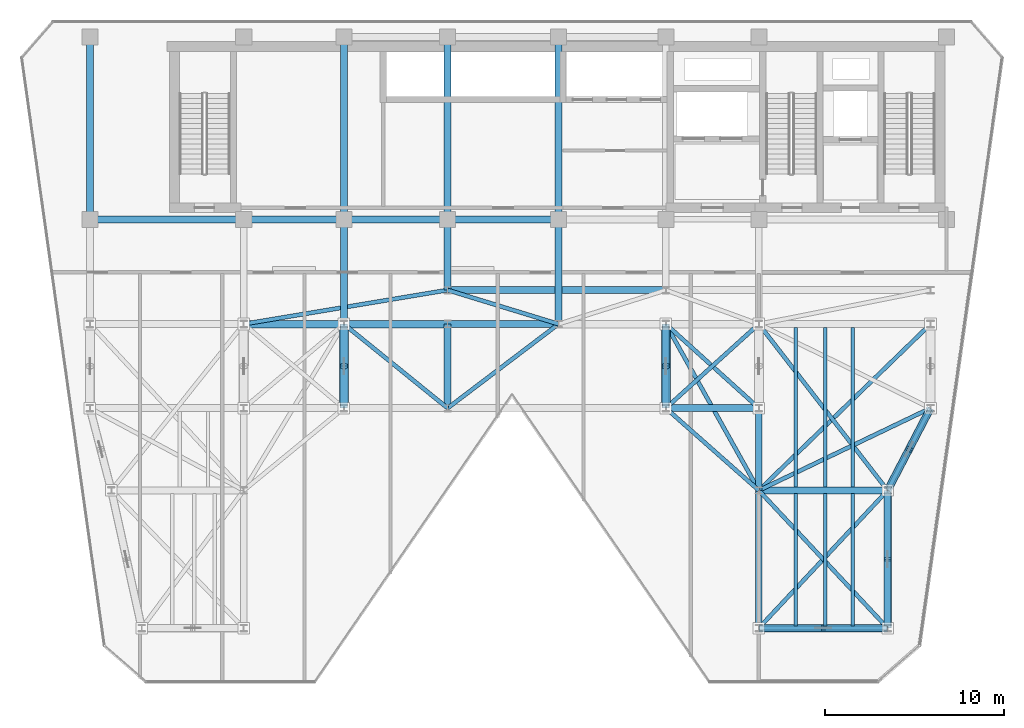
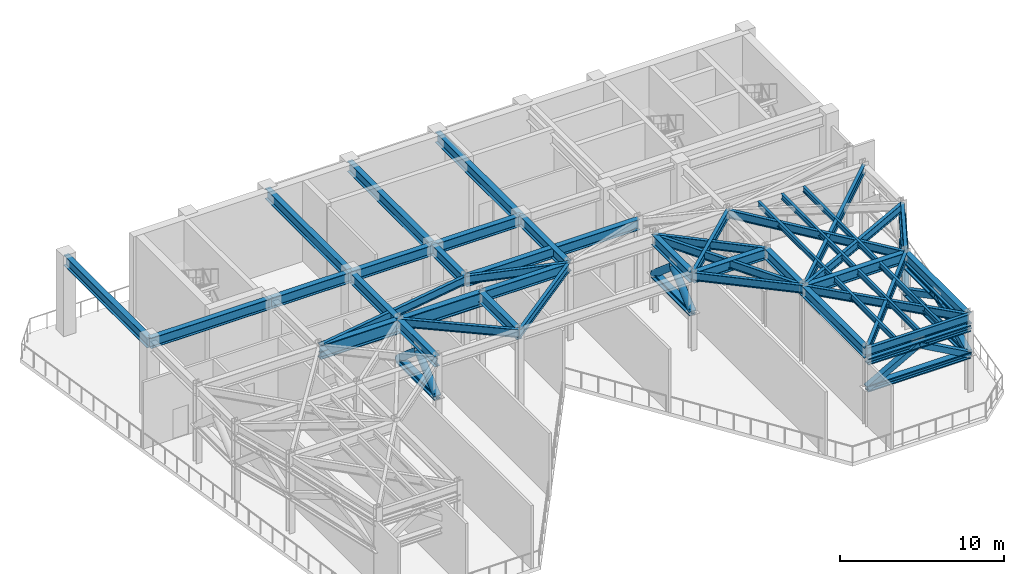
# One storey, part 2 of 12: 43 beams, 18 members.
"""IFC4 building model written with IfcOpenShell, lengths in metres."""

from ifc_helpers import new_model, si_unit, direction, frame, origin, origin_2d, place, context, subcontext, project, spatial, hollow_rectangle, hollow_circle, i_section, extrude, material, material_profile, profile_set, type_object, element, save


model = new_model("IFC4")

# Units and contexts
model_context = context("Model", 3, precision=1e-05, world=origin(), true_north=direction((0.0, 1.0)))
body_context = subcontext(model_context, "Body", "Model", "MODEL_VIEW")
ifc_project = project(units=[si_unit("LENGTHUNIT", "METRE"), si_unit("AREAUNIT", "SQUARE_METRE"), si_unit("VOLUMEUNIT", "CUBIC_METRE"), si_unit("PLANEANGLEUNIT", "RADIAN"), si_unit("MASSUNIT", "GRAM", prefix="KILO")], contexts=[model_context])

# Site, building, storey
site_placement = place(None, origin())
site = spatial("IfcSite", under=ifc_project, at=site_placement, CompositionType="ELEMENT")
building_placement = place(site_placement, origin())
building = spatial("IfcBuilding", under=site, at=building_placement, Name="Kravanh Interchange Tower", CompositionType="ELEMENT")
storey_placement = place(building_placement, frame((0.0, 0.0, 225.0)))
storey = spatial("IfcBuildingStorey", under=building, at=storey_placement, Name="L54", CompositionType="ELEMENT", Elevation=225.0)

# Members
ifc_material_1 = material(Name="Structural Steel S450", Category="steel")
ifc_material_profile_1 = material_profile(ifc_material_1, i_section(OverallWidth=0.424072265625, OverallDepth=0.47412109375, WebThickness=0.047607421875, FlangeThickness=0.0771484375, FilletRadius=0.030029296875, at=origin_2d()), Name="W14X426")
ifc_profile_set_1 = profile_set([ifc_material_profile_1], Name="Structural Steel S450")
member_type_1 = type_object("IfcMemberType", Name="Belt Truss Chord W14X426 Structural Steel S450", PredefinedType="CHORD", material=ifc_profile_set_1)
for number, where, z_axis, x_axis, name in (
    (1, (56.0, 14.5, 2.75), (1.0, 0.0, 0.0), (0.0, 1.0, 0.0), "L54 BELT TRUSS BOTTOM CHORD 2"),
    (2, (56.0, 14.5, 4.757080078125), (1.0, 0.0, 0.0), (0.0, 1.0, 0.0), "L54 BELT TRUSS TOP CHORD 2"),
):
    element("IfcMember", number, at=place(storey_placement, frame(where, z_axis=z_axis, x_axis=x_axis)), inside=storey, type_object=member_type_1, Name=name, PredefinedType="CHORD", context=body_context, shape_type="SweptSolid", body=[
        extrude(i_section(OverallWidth=0.424072265625, OverallDepth=0.47412109375, WebThickness=0.047607421875, FlangeThickness=0.0771484375, FilletRadius=0.030029296875, at=origin_2d()), origin(), (0.0, 0.0, 1.0), 7.199951171875),
    ])
for number, where, z_axis, x_axis, name in (
    (3, (63.199951171875, 14.5, 2.75), (0.0, 1.0, 0.0), (-1.0, 0.0, 0.0), "L54 BELT TRUSS BOTTOM CHORD 5"),
    (4, (63.199951171875, 14.5, 4.757080078125), (0.0, 1.0, 0.0), (-1.0, 0.0, 0.0), "L54 BELT TRUSS TOP CHORD 5"),
):
    element("IfcMember", number, at=place(storey_placement, frame(where, z_axis=z_axis, x_axis=x_axis)), inside=storey, type_object=member_type_1, Name=name, PredefinedType="CHORD", context=body_context, shape_type="SweptSolid", body=[
        extrude(i_section(OverallWidth=0.424072265625, OverallDepth=0.47412109375, WebThickness=0.047607421875, FlangeThickness=0.0771484375, FilletRadius=0.030029296875, at=origin_2d()), origin(), (0.0, 0.0, 1.0), 7.699951171875),
    ])
for number, where, z_axis, x_axis, name in (
    (5, (63.199951171875, 22.199951171875, 2.75), (0.462580479178, 0.886577295155, 0.0), (-0.886577295155, 0.462580479178, 0.0), "L54 BELT TRUSS BOTTOM CHORD 6"),
    (6, (63.199951171875, 22.199951171875, 4.757080078125), (0.462580479178, 0.886577295155, 0.0), (-0.886577295155, 0.462580479178, 0.0), "L54 BELT TRUSS TOP CHORD 6"),
):
    element("IfcMember", number, at=place(storey_placement, frame(where, z_axis=z_axis, x_axis=x_axis)), inside=storey, type_object=member_type_1, Name=name, PredefinedType="CHORD", context=body_context, shape_type="SweptSolid", body=[
        extrude(i_section(OverallWidth=0.424072265625, OverallDepth=0.47412109375, WebThickness=0.047607421875, FlangeThickness=0.0771484375, FilletRadius=0.030029296875, at=origin_2d()), origin(), (0.0, 0.0, 1.0), 5.188720703125),
    ])
ifc_material_2 = material(Name="Structural Steel S450", Category="steel")
ifc_material_profile_2 = material_profile(ifc_material_2, hollow_rectangle(XDim=0.39990234375, YDim=0.39990234375, WallThickness=0.01611328125, at=origin_2d()), Name="HSS400X400X16")
ifc_profile_set_2 = profile_set([ifc_material_profile_2], Name="Structural Steel S450")
member_type_2 = type_object("IfcMemberType", Name="Belt Truss Diagonal HSS400X400X16 Structural Steel S450", PredefinedType="BRACE", material=ifc_profile_set_2)
member_1_placement = place(storey_placement, frame((56.0, 14.5, 2.75), z_axis=(0.873432671455, 0.0, 0.486944933679), x_axis=(0.0, 1.0, 0.0)))
element("IfcMember", 7, at=member_1_placement, inside=storey, type_object=member_type_2, Name="L54 BELT TRUSS DIAGONAL 2A", PredefinedType="BRACE", context=body_context, shape_type="SweptSolid", body=[
    extrude(hollow_rectangle(XDim=0.39990234375, YDim=0.39990234375, WallThickness=0.01611328125, at=origin_2d()), origin(), (0.0, 0.0, 1.0), 4.121826171875),
])
member_2_placement = place(storey_placement, frame((63.199951171875, 14.5, 2.75), z_axis=(-0.873418625586, 0.0, 0.486970126886), x_axis=(0.0, -1.0, 0.0)))
element("IfcMember", 8, at=member_2_placement, inside=storey, type_object=member_type_2, Name="L54 BELT TRUSS DIAGONAL 2B", PredefinedType="BRACE", context=body_context, shape_type="SweptSolid", body=[
    extrude(hollow_rectangle(XDim=0.39990234375, YDim=0.39990234375, WallThickness=0.01611328125, at=origin_2d()), origin(), (0.0, 0.0, 1.0), 4.12158203125),
])
member_3_placement = place(storey_placement, frame((63.199951171875, 14.5, 2.75), z_axis=(0.0, 0.886742204542, 0.462264277967), x_axis=(-1.0, 0.0, 0.0)))
element("IfcMember", 9, at=member_3_placement, inside=storey, type_object=member_type_2, Name="L54 BELT TRUSS DIAGONAL 5A", PredefinedType="BRACE", context=body_context, shape_type="SweptSolid", body=[
    extrude(hollow_rectangle(XDim=0.39990234375, YDim=0.39990234375, WallThickness=0.01611328125, at=origin_2d()), origin(), (0.0, 0.0, 1.0), 4.341796875),
])
member_4_placement = place(storey_placement, frame((63.199951171875, 22.199951171875, 2.75), z_axis=(0.0, -0.886730188018, 0.46228732803), x_axis=(1.0, 0.0, 0.0)))
element("IfcMember", 10, at=member_4_placement, inside=storey, type_object=member_type_2, Name="L54 BELT TRUSS DIAGONAL 5B", PredefinedType="BRACE", context=body_context, shape_type="SweptSolid", body=[
    extrude(hollow_rectangle(XDim=0.39990234375, YDim=0.39990234375, WallThickness=0.01611328125, at=origin_2d()), origin(), (0.0, 0.0, 1.0), 4.341552734375),
])
for number, where, z_axis, x_axis, name in (
    (11, (63.199951171875, 22.199951171875, 2.75), (0.365837447995, 0.701231861151, 0.611912443533), (-0.886596591968, 0.462543493209, 0.0), "L54 BELT TRUSS DIAGONAL 6A"),
    (12, (65.60009765625, 26.800048828125, 2.75), (-0.365901916338, -0.701212765219, 0.611895779945), (0.886557997638, -0.462617462731, 0.0), "L54 BELT TRUSS DIAGONAL 6B"),
):
    element("IfcMember", number, at=place(storey_placement, frame(where, z_axis=z_axis, x_axis=x_axis)), inside=storey, type_object=member_type_2, Name=name, PredefinedType="BRACE", context=body_context, shape_type="SweptSolid", body=[
        extrude(hollow_rectangle(XDim=0.39990234375, YDim=0.39990234375, WallThickness=0.01611328125, at=origin_2d()), origin(), (0.0, 0.0, 1.0), 3.280029296875),
    ])

# Beams
ifc_material_3 = material(Name="Structural Steel S355", Category="steel")
ifc_material_profile_3 = material_profile(ifc_material_3, i_section(OverallWidth=0.381103515625, OverallDepth=0.77294921875, WebThickness=0.0166015625, FlangeThickness=0.027099609375, FilletRadius=0.02490234375, at=origin_2d()), Name="W30X173")
ifc_profile_set_3 = profile_set([ifc_material_profile_3], Name="Structural Steel S355")
beam_type_1 = type_object("IfcBeamType", Name="Floor Beam W30X173 Structural Steel S355", PredefinedType="BEAM", material=ifc_profile_set_3)
beam_1_placement = place(storey_placement, frame((44.800048828125, 37.35009765625, 5.363525390625), z_axis=(0.0, -1.0, 0.0), x_axis=(1.0, 0.0, 0.0)))
element("IfcBeam", 13, at=beam_1_placement, inside=storey, type_object=beam_type_1, Name="L54 Primary Floor Girder 12", PredefinedType="BEAM", context=body_context, shape_type="SweptSolid", body=[
    extrude(i_section(OverallWidth=0.381103515625, OverallDepth=0.77294921875, WebThickness=0.0166015625, FlangeThickness=0.027099609375, FilletRadius=0.02490234375, at=origin_2d()), origin(), (0.0, 0.0, 1.0), 5.85009765625),
])
beam_2_placement = place(storey_placement, frame((44.800048828125, 37.35009765625, 5.363525390625), z_axis=(-1.0, 0.0, 0.0), x_axis=(0.0, -1.0, 0.0)))
element("IfcBeam", 14, at=beam_2_placement, inside=storey, type_object=beam_type_1, Name="L54 Primary Floor Girder 13", PredefinedType="BEAM", context=body_context, shape_type="SweptSolid", body=[
    extrude(i_section(OverallWidth=0.381103515625, OverallDepth=0.77294921875, WebThickness=0.0166015625, FlangeThickness=0.027099609375, FilletRadius=0.02490234375, at=origin_2d()), origin(), (0.0, 0.0, 1.0), 6.199951171875),
])
beam_3_placement = place(storey_placement, frame((44.800048828125, 37.35009765625, 5.363525390625), z_axis=(0.0, 1.0, 0.0), x_axis=(-1.0, 0.0, 0.0)))
element("IfcBeam", 15, at=beam_3_placement, inside=storey, type_object=beam_type_1, Name="L54 Primary Floor Girder 14", PredefinedType="BEAM", context=body_context, shape_type="SweptSolid", body=[
    extrude(i_section(OverallWidth=0.381103515625, OverallDepth=0.77294921875, WebThickness=0.0166015625, FlangeThickness=0.027099609375, FilletRadius=0.02490234375, at=origin_2d()), origin(), (0.0, 0.0, 1.0), 10.199951171875),
])
beam_4_placement = place(storey_placement, frame((38.60009765625, 37.35009765625, 5.363525390625), z_axis=(0.0, -1.0, 0.0), x_axis=(1.0, 0.0, 0.0)))
element("IfcBeam", 16, at=beam_4_placement, inside=storey, type_object=beam_type_1, Name="L54 Primary Floor Girder 16", PredefinedType="BEAM", context=body_context, shape_type="SweptSolid", body=[
    extrude(i_section(OverallWidth=0.381103515625, OverallDepth=0.77294921875, WebThickness=0.0166015625, FlangeThickness=0.027099609375, FilletRadius=0.02490234375, at=origin_2d()), origin(), (0.0, 0.0, 1.0), 3.9501953125),
])
beam_5_placement = place(storey_placement, frame((38.60009765625, 37.35009765625, 5.363525390625), z_axis=(-1.0, 0.0, 0.0), x_axis=(0.0, -1.0, 0.0)))
element("IfcBeam", 17, at=beam_5_placement, inside=storey, type_object=beam_type_1, Name="L54 Primary Floor Girder 17", PredefinedType="BEAM", context=body_context, shape_type="SweptSolid", body=[
    extrude(i_section(OverallWidth=0.381103515625, OverallDepth=0.77294921875, WebThickness=0.0166015625, FlangeThickness=0.027099609375, FilletRadius=0.02490234375, at=origin_2d()), origin(), (0.0, 0.0, 1.0), 5.800048828125),
])
beam_6_placement = place(storey_placement, frame((38.60009765625, 37.35009765625, 5.363525390625), z_axis=(0.0, 1.0, 0.0), x_axis=(-1.0, 0.0, 0.0)))
element("IfcBeam", 18, at=beam_6_placement, inside=storey, type_object=beam_type_1, Name="L54 Primary Floor Girder 18", PredefinedType="BEAM", context=body_context, shape_type="SweptSolid", body=[
    extrude(i_section(OverallWidth=0.381103515625, OverallDepth=0.77294921875, WebThickness=0.0166015625, FlangeThickness=0.027099609375, FilletRadius=0.02490234375, at=origin_2d()), origin(), (0.0, 0.0, 1.0), 10.199951171875),
])
beam_7_placement = place(storey_placement, frame((32.800048828125, 37.35009765625, 5.363525390625), z_axis=(-1.0, 0.0, 0.0), x_axis=(0.0, -1.0, 0.0)))
element("IfcBeam", 19, at=beam_7_placement, inside=storey, type_object=beam_type_1, Name="L54 Primary Floor Girder 20", PredefinedType="BEAM", context=body_context, shape_type="SweptSolid", body=[
    extrude(i_section(OverallWidth=0.381103515625, OverallDepth=0.77294921875, WebThickness=0.0166015625, FlangeThickness=0.027099609375, FilletRadius=0.02490234375, at=origin_2d()), origin(), (0.0, 0.0, 1.0), 5.60009765625),
])
beam_8_placement = place(storey_placement, frame((32.800048828125, 37.35009765625, 5.363525390625), z_axis=(0.0, -1.0, 0.0), x_axis=(1.0, 0.0, 0.0)))
element("IfcBeam", 20, at=beam_8_placement, inside=storey, type_object=beam_type_1, Name="L54 Primary Floor Girder 21", PredefinedType="BEAM", context=body_context, shape_type="SweptSolid", body=[
    extrude(i_section(OverallWidth=0.381103515625, OverallDepth=0.77294921875, WebThickness=0.0166015625, FlangeThickness=0.027099609375, FilletRadius=0.02490234375, at=origin_2d()), origin(), (0.0, 0.0, 1.0), 5.85009765625),
])
beam_9_placement = place(storey_placement, frame((32.800048828125, 37.35009765625, 5.363525390625), z_axis=(0.0, 1.0, 0.0), x_axis=(-1.0, 0.0, 0.0)))
element("IfcBeam", 21, at=beam_9_placement, inside=storey, type_object=beam_type_1, Name="L54 Primary Floor Girder 22", PredefinedType="BEAM", context=body_context, shape_type="SweptSolid", body=[
    extrude(i_section(OverallWidth=0.381103515625, OverallDepth=0.77294921875, WebThickness=0.0166015625, FlangeThickness=0.027099609375, FilletRadius=0.02490234375, at=origin_2d()), origin(), (0.0, 0.0, 1.0), 10.199951171875),
])
beam_10_placement = place(storey_placement, frame((27.199951171875, 37.35009765625, 5.363525390625), z_axis=(-1.0, 0.0, 0.0), x_axis=(0.0, -1.0, 0.0)))
element("IfcBeam", 22, at=beam_10_placement, inside=storey, type_object=beam_type_1, Name="L54 Primary Floor Girder 25", PredefinedType="BEAM", context=body_context, shape_type="SweptSolid", body=[
    extrude(i_section(OverallWidth=0.381103515625, OverallDepth=0.77294921875, WebThickness=0.0166015625, FlangeThickness=0.027099609375, FilletRadius=0.02490234375, at=origin_2d()), origin(), (0.0, 0.0, 1.0), 8.599853515625),
])
beam_11_placement = place(storey_placement, frame((18.60009765625, 37.35009765625, 5.363525390625), z_axis=(0.0, 1.0, 0.0), x_axis=(-1.0, 0.0, 0.0)))
element("IfcBeam", 23, at=beam_11_placement, inside=storey, type_object=beam_type_1, Name="L54 Primary Floor Girder 29", PredefinedType="BEAM", context=body_context, shape_type="SweptSolid", body=[
    extrude(i_section(OverallWidth=0.381103515625, OverallDepth=0.77294921875, WebThickness=0.0166015625, FlangeThickness=0.027099609375, FilletRadius=0.02490234375, at=origin_2d()), origin(), (0.0, 0.0, 1.0), 10.199951171875),
])
for number, where, z_axis, x_axis, name in (
    (24, (32.800048828125, 26.800048828125, 5.363525390625), (0.0, 1.0, 0.0), (-1.0, 0.0, 0.0), "L54 Primary Floor Girder 41"),
    (25, (38.60009765625, 26.800048828125, 5.363525390625), (0.0, 1.0, 0.0), (-1.0, 0.0, 0.0), "L54 Primary Floor Girder 45"),
    (26, (50.800048828125, 26.800048828125, 5.363525390625), (0.0, 1.0, 0.0), (-1.0, 0.0, 0.0), "L54 Primary Floor Girder 49"),
):
    element("IfcBeam", number, at=place(storey_placement, frame(where, z_axis=z_axis, x_axis=x_axis)), inside=storey, type_object=beam_type_1, Name=name, PredefinedType="BEAM", context=body_context, shape_type="SweptSolid", body=[
        extrude(i_section(OverallWidth=0.381103515625, OverallDepth=0.77294921875, WebThickness=0.0166015625, FlangeThickness=0.027099609375, FilletRadius=0.02490234375, at=origin_2d()), origin(), (0.0, 0.0, 1.0), 4.699951171875),
    ])
beam_12_placement = place(storey_placement, frame((50.800048828125, 26.800048828125, 5.363525390625), z_axis=(1.0, 0.0, 0.0), x_axis=(0.0, 1.0, 0.0)))
element("IfcBeam", 27, at=beam_12_placement, inside=storey, type_object=beam_type_1, Name="L54 Primary Floor Girder 50", PredefinedType="BEAM", context=body_context, shape_type="SweptSolid", body=[
    extrude(i_section(OverallWidth=0.381103515625, OverallDepth=0.77294921875, WebThickness=0.0166015625, FlangeThickness=0.027099609375, FilletRadius=0.02490234375, at=origin_2d()), origin(), (0.0, 0.0, 1.0), 5.199951171875),
])
beam_13_placement = place(storey_placement, frame((56.0, 26.800048828125, 5.363525390625), z_axis=(0.0, -1.0, 0.0), x_axis=(1.0, 0.0, 0.0)))
element("IfcBeam", 28, at=beam_13_placement, inside=storey, type_object=beam_type_1, Name="L54 Primary Floor Girder 53", PredefinedType="BEAM", context=body_context, shape_type="SweptSolid", body=[
    extrude(i_section(OverallWidth=0.381103515625, OverallDepth=0.77294921875, WebThickness=0.0166015625, FlangeThickness=0.027099609375, FilletRadius=0.02490234375, at=origin_2d()), origin(), (0.0, 0.0, 1.0), 4.60009765625),
])
beam_14_placement = place(storey_placement, frame((38.60009765625, 31.5, 5.363525390625), z_axis=(1.0, 0.0, 0.0), x_axis=(0.0, 1.0, 0.0)))
element("IfcBeam", 29, at=beam_14_placement, inside=storey, type_object=beam_type_1, Name="L54 Primary Floor Girder 72", PredefinedType="BEAM", context=body_context, shape_type="SweptSolid", body=[
    extrude(i_section(OverallWidth=0.381103515625, OverallDepth=0.77294921875, WebThickness=0.0166015625, FlangeThickness=0.027099609375, FilletRadius=0.02490234375, at=origin_2d()), origin(), (0.0, 0.0, 1.0), 6.199951171875),
])
for number, where, z_axis, x_axis, name in (
    (30, (56.0, 14.5, 5.363525390625), (0.0, 1.0, 0.0), (-1.0, 0.0, 0.0), "L54 Primary Floor Girder 87"),
    (31, (63.199951171875, 14.5, 5.363525390625), (0.0, 1.0, 0.0), (-1.0, 0.0, 0.0), "L54 Primary Floor Girder 89"),
):
    element("IfcBeam", number, at=place(storey_placement, frame(where, z_axis=z_axis, x_axis=x_axis)), inside=storey, type_object=beam_type_1, Name=name, PredefinedType="BEAM", context=body_context, shape_type="SweptSolid", body=[
        extrude(i_section(OverallWidth=0.381103515625, OverallDepth=0.77294921875, WebThickness=0.0166015625, FlangeThickness=0.027099609375, FilletRadius=0.02490234375, at=origin_2d()), origin(), (0.0, 0.0, 1.0), 7.699951171875),
    ])
beam_15_placement = place(storey_placement, frame((56.0, 22.199951171875, 5.363525390625), z_axis=(1.0, 0.0, 0.0), x_axis=(0.0, 1.0, 0.0)))
element("IfcBeam", 32, at=beam_15_placement, inside=storey, type_object=beam_type_1, Name="L54 Primary Floor Girder 92", PredefinedType="BEAM", context=body_context, shape_type="SweptSolid", body=[
    extrude(i_section(OverallWidth=0.381103515625, OverallDepth=0.77294921875, WebThickness=0.0166015625, FlangeThickness=0.027099609375, FilletRadius=0.02490234375, at=origin_2d()), origin(), (0.0, 0.0, 1.0), 7.199951171875),
])
beam_16_placement = place(storey_placement, frame((38.60009765625, 33.39990234375, 5.363525390625), z_axis=(1.0, 0.0, 0.0), x_axis=(0.0, 1.0, 0.0)))
element("IfcBeam", 33, at=beam_16_placement, inside=storey, type_object=beam_type_1, Name="L54 Primary Floor Girder 94", PredefinedType="BEAM", context=body_context, shape_type="SweptSolid", body=[
    extrude(i_section(OverallWidth=0.381103515625, OverallDepth=0.77294921875, WebThickness=0.0166015625, FlangeThickness=0.027099609375, FilletRadius=0.02490234375, at=origin_2d()), origin(), (0.0, 0.0, 1.0), 12.199951171875),
])
ifc_material_4 = material(Name="Structural Steel S355", Category="steel")
ifc_material_profile_4 = material_profile(ifc_material_4, i_section(OverallWidth=0.177978515625, OverallDepth=0.406005859375, WebThickness=0.0078125, FlangeThickness=0.0126953125, FilletRadius=0.01611328125, at=origin_2d()), Name="W16X40")
ifc_profile_set_4 = profile_set([ifc_material_profile_4], Name="Structural Steel S355")
beam_type_2 = type_object("IfcBeamType", Name="Floor Joist W16X40 Structural Steel S355", PredefinedType="JOIST", material=ifc_profile_set_4)
for number, where, z_axis, x_axis, name in (
    (34, (58.06591796875, 14.60888671875, 5.547119140625), (0.0, 1.0, 0.0), (-1.0, 0.0, 0.0), "L54 Secondary Floor Joist 4"),
    (35, (59.718017578125, 14.60888671875, 5.547119140625), (0.0, 1.0, 0.0), (-1.0, 0.0, 0.0), "L54 Secondary Floor Joist 5"),
    (36, (61.251953125, 14.60888671875, 5.547119140625), (0.0, 1.0, 0.0), (-1.0, 0.0, 0.0), "L54 Secondary Floor Joist 6"),
):
    element("IfcBeam", number, at=place(storey_placement, frame(where, z_axis=z_axis, x_axis=x_axis)), inside=storey, type_object=beam_type_2, Name=name, PredefinedType="JOIST", context=body_context, shape_type="SweptSolid", body=[
        extrude(i_section(OverallWidth=0.177978515625, OverallDepth=0.406005859375, WebThickness=0.0078125, FlangeThickness=0.0126953125, FilletRadius=0.01611328125, at=origin_2d()), origin(), (0.0, 0.0, 1.0), 7.405517578125),
    ])
for number, where, z_axis, x_axis, name in (
    (37, (58.06591796875, 22.385498046875, 5.547119140625), (0.0, 1.0, 0.0), (-1.0, 0.0, 0.0), "L54 Secondary Floor Joist 10"),
    (38, (59.718017578125, 22.385498046875, 5.547119140625), (0.0, 1.0, 0.0), (-1.0, 0.0, 0.0), "L54 Secondary Floor Joist 11"),
    (39, (61.251953125, 22.385498046875, 5.547119140625), (0.0, 1.0, 0.0), (-1.0, 0.0, 0.0), "L54 Secondary Floor Joist 12"),
):
    element("IfcBeam", number, at=place(storey_placement, frame(where, z_axis=z_axis, x_axis=x_axis)), inside=storey, type_object=beam_type_2, Name=name, PredefinedType="JOIST", context=body_context, shape_type="SweptSolid", body=[
        extrude(i_section(OverallWidth=0.177978515625, OverallDepth=0.406005859375, WebThickness=0.0078125, FlangeThickness=0.0126953125, FilletRadius=0.01611328125, at=origin_2d()), origin(), (0.0, 0.0, 1.0), 8.928955078125),
    ])
ifc_material_5 = material(Name="Structural Steel S355", Category="steel")
ifc_material_profile_5 = material_profile(ifc_material_5, i_section(OverallWidth=0.22802734375, OverallDepth=0.60791015625, WebThickness=0.01123046875, FlangeThickness=0.017333984375, FilletRadius=0.02197265625, at=origin_2d()), Name="W24X76")
ifc_profile_set_5 = profile_set([ifc_material_profile_5], Name="Structural Steel S355")
beam_type_3 = type_object("IfcBeamType", Name="Floor Spandrel W24X76 Structural Steel S355", PredefinedType="SPANDREL", material=ifc_profile_set_5)
beam_17_placement = place(storey_placement, frame((38.60009765625, 26.800048828125, 5.446044921875), z_axis=(-0.776938619557, 0.629576350764, 0.0), x_axis=(-0.629576350764, -0.776938619557, 0.0)))
element("IfcBeam", 40, at=beam_17_placement, inside=storey, type_object=beam_type_3, Name="L54 Perimeter Spandrel 46", PredefinedType="SPANDREL", context=body_context, shape_type="SweptSolid", body=[
    extrude(i_section(OverallWidth=0.22802734375, OverallDepth=0.60791015625, WebThickness=0.01123046875, FlangeThickness=0.017333984375, FilletRadius=0.02197265625, at=origin_2d()), origin(), (0.0, 0.0, 1.0), 7.46533203125),
])
beam_18_placement = place(storey_placement, frame((38.60009765625, 26.800048828125, 5.446044921875), z_axis=(0.796905365509, 0.604104161898, 0.0), x_axis=(-0.604104161898, 0.796905365509, 0.0)))
element("IfcBeam", 41, at=beam_18_placement, inside=storey, type_object=beam_type_3, Name="L54 Perimeter Spandrel 47", PredefinedType="SPANDREL", context=body_context, shape_type="SweptSolid", body=[
    extrude(i_section(OverallWidth=0.22802734375, OverallDepth=0.60791015625, WebThickness=0.01123046875, FlangeThickness=0.017333984375, FilletRadius=0.02197265625, at=origin_2d()), origin(), (0.0, 0.0, 1.0), 7.780029296875),
])
beam_19_placement = place(storey_placement, frame((50.800048828125, 26.800048828125, 5.446044921875), z_axis=(0.74898649432, -0.662585263439, 0.0), x_axis=(0.662585263439, 0.74898649432, 0.0)))
element("IfcBeam", 42, at=beam_19_placement, inside=storey, type_object=beam_type_3, Name="L54 Perimeter Spandrel 51", PredefinedType="SPANDREL", context=body_context, shape_type="SweptSolid", body=[
    extrude(i_section(OverallWidth=0.22802734375, OverallDepth=0.60791015625, WebThickness=0.01123046875, FlangeThickness=0.017333984375, FilletRadius=0.02197265625, at=origin_2d()), origin(), (0.0, 0.0, 1.0), 6.942626953125),
])
for number, where, z_axis, x_axis, name in (
    (43, (50.800048828125, 26.800048828125, 5.446044921875), (0.741874009795, 0.670539300557, 0.0), (-0.670539300557, 0.741874009795, 0.0), "L54 Perimeter Spandrel 52"),
    (44, (56.0, 26.800048828125, 5.446044921875), (-0.741874009795, 0.670539300557, 0.0), (-0.670539300557, -0.741874009795, 0.0), "L54 Perimeter Spandrel 55"),
):
    element("IfcBeam", number, at=place(storey_placement, frame(where, z_axis=z_axis, x_axis=x_axis)), inside=storey, type_object=beam_type_3, Name=name, PredefinedType="SPANDREL", context=body_context, shape_type="SweptSolid", body=[
        extrude(i_section(OverallWidth=0.22802734375, OverallDepth=0.60791015625, WebThickness=0.01123046875, FlangeThickness=0.017333984375, FilletRadius=0.02197265625, at=origin_2d()), origin(), (0.0, 0.0, 1.0), 7.00927734375),
    ])
beam_20_placement = place(storey_placement, frame((65.60009765625, 26.800048828125, 5.446044921875), z_axis=(-0.462580479178, -0.886577295155, 0.0), x_axis=(0.886577295155, -0.462580479178, 0.0)))
element("IfcBeam", 45, at=beam_20_placement, inside=storey, type_object=beam_type_3, Name="L54 Perimeter Spandrel 58", PredefinedType="SPANDREL", context=body_context, shape_type="SweptSolid", body=[
    extrude(i_section(OverallWidth=0.22802734375, OverallDepth=0.60791015625, WebThickness=0.01123046875, FlangeThickness=0.017333984375, FilletRadius=0.02197265625, at=origin_2d()), origin(), (0.0, 0.0, 1.0), 5.188720703125),
])
beam_21_placement = place(storey_placement, frame((65.60009765625, 26.800048828125, 5.446044921875), z_axis=(-0.901814166789, -0.432124066188, 0.0), x_axis=(0.432124066188, -0.901814166789, 0.0)))
element("IfcBeam", 46, at=beam_21_placement, inside=storey, type_object=beam_type_3, Name="L54 Perimeter Spandrel 59", PredefinedType="SPANDREL", context=body_context, shape_type="SweptSolid", body=[
    extrude(i_section(OverallWidth=0.22802734375, OverallDepth=0.60791015625, WebThickness=0.01123046875, FlangeThickness=0.017333984375, FilletRadius=0.02197265625, at=origin_2d()), origin(), (0.0, 0.0, 1.0), 10.645263671875),
])
beam_22_placement = place(storey_placement, frame((27.199951171875, 31.5, 5.446044921875), z_axis=(0.986395636554, 0.164388710647, 0.0), x_axis=(-0.164388710647, 0.986395636554, 0.0)))
element("IfcBeam", 47, at=beam_22_placement, inside=storey, type_object=beam_type_3, Name="L54 Perimeter Spandrel 65", PredefinedType="SPANDREL", context=body_context, shape_type="SweptSolid", body=[
    extrude(i_section(OverallWidth=0.22802734375, OverallDepth=0.60791015625, WebThickness=0.01123046875, FlangeThickness=0.017333984375, FilletRadius=0.02197265625, at=origin_2d()), origin(), (0.0, 0.0, 1.0), 11.557373046875),
])
beam_23_placement = place(storey_placement, frame((44.800048828125, 31.5, 5.446044921875), z_axis=(-0.956115397264, 0.292990353279, 0.0), x_axis=(-0.292990353279, -0.956115397264, 0.0)))
element("IfcBeam", 48, at=beam_23_placement, inside=storey, type_object=beam_type_3, Name="L54 Perimeter Spandrel 76", PredefinedType="SPANDREL", context=body_context, shape_type="SweptSolid", body=[
    extrude(i_section(OverallWidth=0.22802734375, OverallDepth=0.60791015625, WebThickness=0.01123046875, FlangeThickness=0.017333984375, FilletRadius=0.02197265625, at=origin_2d()), origin(), (0.0, 0.0, 1.0), 6.484619140625),
])
beam_24_placement = place(storey_placement, frame((50.800048828125, 31.5, 5.446044921875), z_axis=(0.488026248114, -0.872828952975, 0.0), x_axis=(0.872828952975, 0.488026248114, 0.0)))
element("IfcBeam", 49, at=beam_24_placement, inside=storey, type_object=beam_type_3, Name="L54 Perimeter Spandrel 78", PredefinedType="SPANDREL", context=body_context, shape_type="SweptSolid", body=[
    extrude(i_section(OverallWidth=0.22802734375, OverallDepth=0.60791015625, WebThickness=0.01123046875, FlangeThickness=0.017333984375, FilletRadius=0.02197265625, at=origin_2d()), origin(), (0.0, 0.0, 1.0), 10.655029296875),
])
beam_25_placement = place(storey_placement, frame((56.0, 31.5, 5.446044921875), z_axis=(0.612168587637, -0.790727273028, 0.0), x_axis=(0.790727273028, 0.612168587637, 0.0)))
element("IfcBeam", 50, at=beam_25_placement, inside=storey, type_object=beam_type_3, Name="L54 Perimeter Spandrel 83", PredefinedType="SPANDREL", context=body_context, shape_type="SweptSolid", body=[
    extrude(i_section(OverallWidth=0.22802734375, OverallDepth=0.60791015625, WebThickness=0.01123046875, FlangeThickness=0.017333984375, FilletRadius=0.02197265625, at=origin_2d()), origin(), (0.0, 0.0, 1.0), 11.761474609375),
])
beam_26_placement = place(storey_placement, frame((65.60009765625, 31.5, 5.446044921875), z_axis=(-0.718241934329, -0.695793449072, 0.0), x_axis=(0.695793449072, -0.718241934329, 0.0)))
element("IfcBeam", 51, at=beam_26_placement, inside=storey, type_object=beam_type_3, Name="L54 Perimeter Spandrel 85", PredefinedType="SPANDREL", context=body_context, shape_type="SweptSolid", body=[
    extrude(i_section(OverallWidth=0.22802734375, OverallDepth=0.60791015625, WebThickness=0.01123046875, FlangeThickness=0.017333984375, FilletRadius=0.02197265625, at=origin_2d()), origin(), (0.0, 0.0, 1.0), 13.3662109375),
])
beam_27_placement = place(storey_placement, frame((56.0, 14.5, 5.446044921875), z_axis=(1.0, 0.0, 0.0), x_axis=(0.0, 1.0, 0.0)))
element("IfcBeam", 52, at=beam_27_placement, inside=storey, type_object=beam_type_3, Name="L54 Perimeter Spandrel 86", PredefinedType="SPANDREL", context=body_context, shape_type="SweptSolid", body=[
    extrude(i_section(OverallWidth=0.22802734375, OverallDepth=0.60791015625, WebThickness=0.01123046875, FlangeThickness=0.017333984375, FilletRadius=0.02197265625, at=origin_2d()), origin(), (0.0, 0.0, 1.0), 7.199951171875),
])
for number, where, z_axis, x_axis, name in (
    (53, (56.0, 14.5, 5.446044921875), (0.682993762113, 0.73042420614, 0.0), (-0.73042420614, 0.682993762113, 0.0), "L54 Perimeter Spandrel 88"),
    (54, (63.199951171875, 14.5, 5.446044921875), (-0.682993762113, 0.73042420614, 0.0), (-0.73042420614, -0.682993762113, 0.0), "L54 Perimeter Spandrel 90"),
):
    element("IfcBeam", number, at=place(storey_placement, frame(where, z_axis=z_axis, x_axis=x_axis)), inside=storey, type_object=beam_type_3, Name=name, PredefinedType="SPANDREL", context=body_context, shape_type="SweptSolid", body=[
        extrude(i_section(OverallWidth=0.22802734375, OverallDepth=0.60791015625, WebThickness=0.01123046875, FlangeThickness=0.017333984375, FilletRadius=0.02197265625, at=origin_2d()), origin(), (0.0, 0.0, 1.0), 10.541748046875),
    ])

# Members
ifc_material_6 = material(Name="Structural Steel S450", Category="steel")
ifc_material_profile_6 = material_profile(ifc_material_6, i_section(OverallWidth=0.431884765625, OverallDepth=0.498046875, WebThickness=0.0556640625, FlangeThickness=0.0888671875, FilletRadius=0.030029296875, at=origin_2d()), Name="W14X500")
ifc_profile_set_6 = profile_set([ifc_material_profile_6], Name="Structural Steel S450")
member_type_3 = type_object("IfcMemberType", Name="Outrigger Truss Chord W14X500 Structural Steel S450", PredefinedType="CHORD", material=ifc_profile_set_6)
for number, where, z_axis, x_axis, name in (
    (55, (32.800048828125, 31.5, 2.75), (0.0, -1.0, 0.0), (1.0, 0.0, 0.0), "L54 OUTRIGGER TRUSS BOTTOM CHORD 3"),
    (56, (50.800048828125, 31.5, 2.75), (0.0, -1.0, 0.0), (1.0, 0.0, 0.0), "L54 OUTRIGGER TRUSS BOTTOM CHORD 4"),
):
    element("IfcMember", number, at=place(storey_placement, frame(where, z_axis=z_axis, x_axis=x_axis)), inside=storey, type_object=member_type_3, Name=name, PredefinedType="CHORD", context=body_context, shape_type="SweptSolid", body=[
        extrude(i_section(OverallWidth=0.431884765625, OverallDepth=0.498046875, WebThickness=0.0556640625, FlangeThickness=0.0888671875, FilletRadius=0.030029296875, at=origin_2d()), origin(), (0.0, 0.0, 1.0), 4.699951171875),
    ])
ifc_material_7 = material(Name="Structural Steel S450", Category="steel")
ifc_material_profile_7 = material_profile(ifc_material_7, hollow_circle(Radius=0.25390625, WallThickness=0.02001953125, at=origin_2d()), Name="CHS508X20")
ifc_profile_set_7 = profile_set([ifc_material_profile_7], Name="Structural Steel S450")
member_type_4 = type_object("IfcMemberType", Name="Outrigger Truss Diagonal CHS508X20 Structural Steel S450", PredefinedType="USERDEFINED", material=ifc_profile_set_7)
member_5_placement = place(storey_placement, frame((32.800048828125, 31.5, 2.75), z_axis=(0.0, -0.760420816417, 0.649430659855), x_axis=(1.0, 0.0, 0.0)))
element("IfcMember", 57, at=member_5_placement, inside=storey, type_object=member_type_4, Name="L54 OUTRIGGER TRUSS DIAGONAL 3A", ObjectType="OUTRIGGER", PredefinedType="USERDEFINED", context=body_context, shape_type="SweptSolid", body=[
    extrude(hollow_circle(Radius=0.25390625, WallThickness=0.02001953125, at=origin_2d()), origin(), (0.0, 0.0, 1.0), 3.090576171875),
])
member_6_placement = place(storey_placement, frame((32.800048828125, 26.800048828125, 2.75), z_axis=(0.0, 0.760387495814, 0.649469673048), x_axis=(-1.0, 0.0, 0.0)))
element("IfcMember", 58, at=member_6_placement, inside=storey, type_object=member_type_4, Name="L54 OUTRIGGER TRUSS DIAGONAL 3B", ObjectType="OUTRIGGER", PredefinedType="USERDEFINED", context=body_context, shape_type="SweptSolid", body=[
    extrude(hollow_circle(Radius=0.25390625, WallThickness=0.02001953125, at=origin_2d()), origin(), (0.0, 0.0, 1.0), 3.09033203125),
])
member_7_placement = place(storey_placement, frame((50.800048828125, 31.5, 2.75), z_axis=(0.0, -0.760420816417, 0.649430659855), x_axis=(1.0, 0.0, 0.0)))
element("IfcMember", 59, at=member_7_placement, inside=storey, type_object=member_type_4, Name="L54 OUTRIGGER TRUSS DIAGONAL 4A", ObjectType="OUTRIGGER", PredefinedType="USERDEFINED", context=body_context, shape_type="SweptSolid", body=[
    extrude(hollow_circle(Radius=0.25390625, WallThickness=0.02001953125, at=origin_2d()), origin(), (0.0, 0.0, 1.0), 3.090576171875),
])
member_8_placement = place(storey_placement, frame((50.800048828125, 26.800048828125, 2.75), z_axis=(0.0, 0.760387495814, 0.649469673048), x_axis=(-1.0, 0.0, 0.0)))
element("IfcMember", 60, at=member_8_placement, inside=storey, type_object=member_type_4, Name="L54 OUTRIGGER TRUSS DIAGONAL 4B", ObjectType="OUTRIGGER", PredefinedType="USERDEFINED", context=body_context, shape_type="SweptSolid", body=[
    extrude(hollow_circle(Radius=0.25390625, WallThickness=0.02001953125, at=origin_2d()), origin(), (0.0, 0.0, 1.0), 3.09033203125),
])

# Beam
ifc_material_8 = material(Name="Structural Steel S450", Category="steel")
ifc_material_profile_8 = material_profile(ifc_material_8, i_section(OverallWidth=0.4189453125, OverallDepth=1.041015625, WebThickness=0.031005859375, FlangeThickness=0.055908203125, FilletRadius=0.030029296875, at=origin_2d()), Name="W40X397")
ifc_profile_set_8 = profile_set([ifc_material_profile_8], Name="Structural Steel S450")
beam_type_4 = type_object("IfcBeamType", Name="Transfer Girder W40X397 Structural Steel S450", PredefinedType="BEAM", material=ifc_profile_set_8)
beam_28_placement = place(storey_placement, frame((27.199951171875, 31.5, 5.2294921875), z_axis=(1.0, 0.0, 0.0), x_axis=(0.0, 1.0, 0.0)))
element("IfcBeam", 61, at=beam_28_placement, inside=storey, type_object=beam_type_4, Name="L54 STEEL TRANSFER GIRDER 1", PredefinedType="BEAM", context=body_context, shape_type="SweptSolid", body=[
    extrude(i_section(OverallWidth=0.4189453125, OverallDepth=1.041015625, WebThickness=0.031005859375, FlangeThickness=0.055908203125, FilletRadius=0.030029296875, at=origin_2d()), origin(), (0.0, 0.0, 1.0), 11.400146484375),
])

save(model, "model.ifc")
